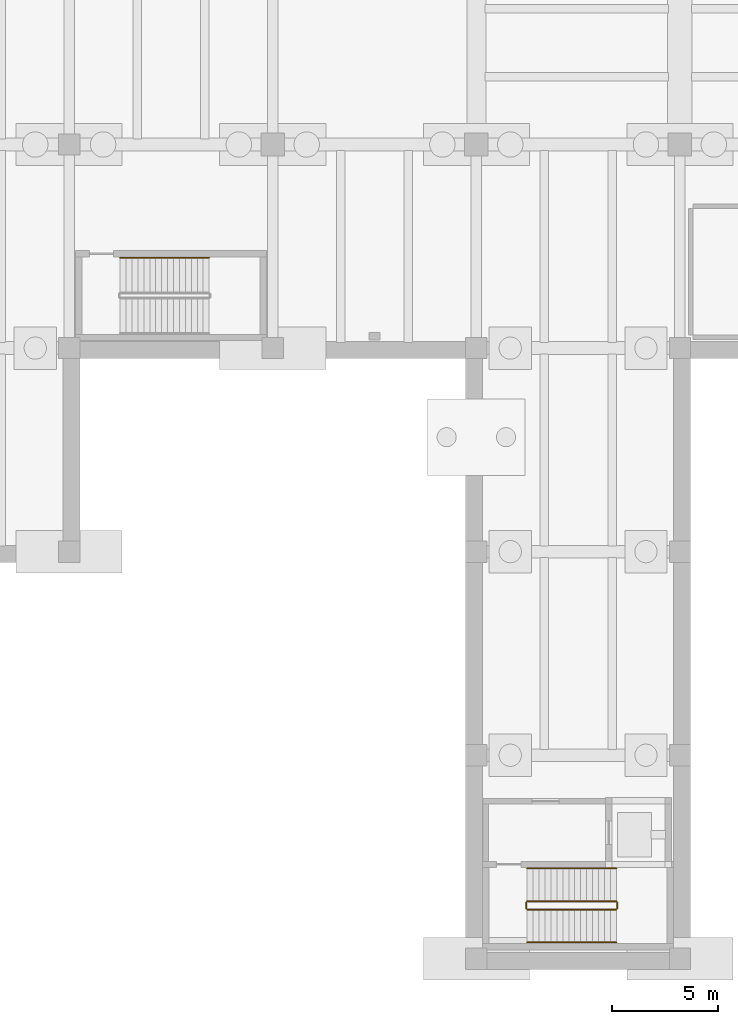
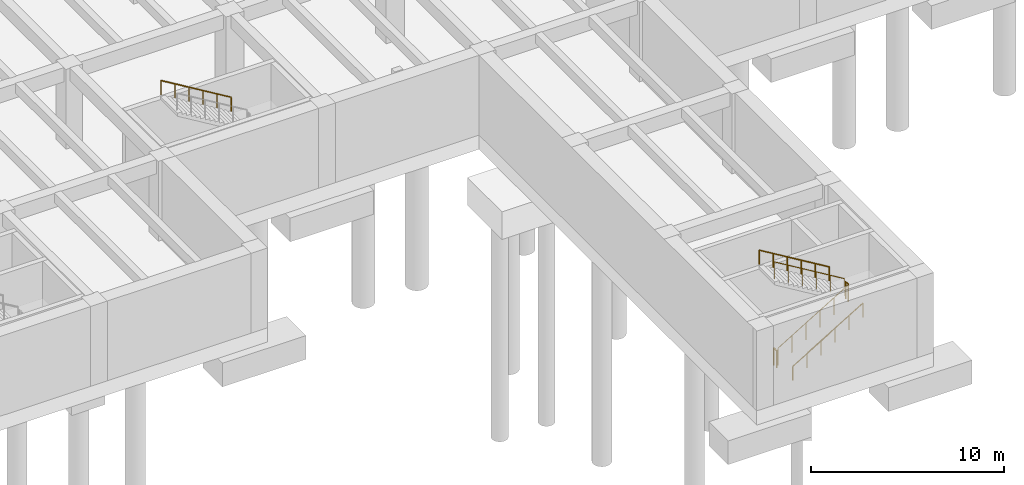
# One storey, part 17 of 24: 7 railings.
"""IFC4 building model written with IfcOpenShell, lengths in metres."""

from ifc_helpers import new_model, si_unit, direction, frame, origin, origin_2d, place, context, subcontext, project, spatial, circle, extrude, material, type_object, element, save


model = new_model("IFC4")

# Units and contexts
model_context = context("Model", 3, precision=1e-05, world=origin(), true_north=direction((0.0, 1.0)))
body_context = subcontext(model_context, "Body", "Model", "MODEL_VIEW")
ifc_project = project(units=[si_unit("LENGTHUNIT", "METRE"), si_unit("AREAUNIT", "SQUARE_METRE"), si_unit("VOLUMEUNIT", "CUBIC_METRE"), si_unit("PLANEANGLEUNIT", "RADIAN"), si_unit("MASSUNIT", "GRAM", prefix="KILO")], contexts=[model_context])

# Site, building, storey
site_placement = place(None, origin())
site = spatial("IfcSite", under=ifc_project, at=site_placement, CompositionType="ELEMENT")
building_placement = place(site_placement, origin())
building = spatial("IfcBuilding", under=site, at=building_placement, Name="Coralgate Yard Interchange", CompositionType="ELEMENT")
storey_placement = place(building_placement, frame((0.0, 0.0, -10.800048828125)))
storey = spatial("IfcBuildingStorey", under=building, at=storey_placement, Name="B2", CompositionType="ELEMENT", Elevation=-10.800048828125)

# Railings
ifc_material_1 = material(Name="Grade 316 marine stainless steel and toughened glass balustrade", Category="steel")
railing_type_1 = type_object("IfcRailingType", Name="RLG-GD1100", PredefinedType="BALUSTRADE", material=ifc_material_1)
railing_1_placement = place(storey_placement, frame((50.39990234375, 11.919921875, 0.168701171875)))
element("IfcRailing", 1, at=railing_1_placement, inside=storey, type_object=railing_type_1, Name="B2 ST-02 stair guard 1", PredefinedType="BALUSTRADE", context=body_context, shape_type="SweptSolid", body=[
    extrude(circle(Radius=0.02392578125, at=origin_2d()), frame((0.0, 0.0, 1.076171875), z_axis=(0.856489757249, 0.0, 0.516164020179), x_axis=(0.0, 1.0, 0.0)), (0.0, 0.0, 1.0), 4.904052734375),
    extrude(circle(Radius=0.02099609375, at=origin_2d()), origin(), (0.0, 0.0, 1.0), 1.051513671875),
    extrude(circle(Radius=0.02099609375, at=origin_2d()), frame((0.840087890625, 0.0, 0.50634765625)), (0.0, 0.0, 1.0), 1.051513671875),
    extrude(circle(Radius=0.02099609375, at=origin_2d()), frame((1.68017578125, 0.0, 1.012451171875)), (0.0, 0.0, 1.0), 1.051513671875),
    extrude(circle(Radius=0.02099609375, at=origin_2d()), frame((2.52001953125, 0.0, 1.518798828125)), (0.0, 0.0, 1.0), 1.051513671875),
    extrude(circle(Radius=0.02099609375, at=origin_2d()), frame((3.360107421875, 0.0, 2.02490234375)), (0.0, 0.0, 1.0), 1.051513671875),
    extrude(circle(Radius=0.02099609375, at=origin_2d()), frame((4.2001953125, 0.0, 2.53125)), (0.0, 0.0, 1.0), 1.051513671875),
])
railing_2_placement = place(storey_placement, frame((54.64990234375, 11.969970703125, 2.699951171875)))
element("IfcRailing", 2, at=railing_2_placement, inside=storey, type_object=railing_type_1, Name="B2 ST-02 stair guard 2", PredefinedType="BALUSTRADE", context=body_context, shape_type="SweptSolid", body=[
    extrude(circle(Radius=0.02392578125, at=origin_2d()), frame((0.0, 0.0, 1.076171875), z_axis=(0.0, 1.0, 0.0), x_axis=(-1.0, 0.0, 0.0)), (0.0, 0.0, 1.0), 0.2900390625),
    extrude(circle(Radius=0.02099609375, at=origin_2d()), origin(), (0.0, 0.0, 1.0), 1.051513671875),
    extrude(circle(Radius=0.02099609375, at=origin_2d()), frame((0.0, 0.2900390625, 0.0)), (0.0, 0.0, 1.0), 1.051513671875),
])
railing_3_placement = place(storey_placement, frame((54.60009765625, 12.31005859375, 2.868896484375)))
element("IfcRailing", 3, at=railing_3_placement, inside=storey, type_object=railing_type_1, Name="B2 ST-02 stair guard 3", PredefinedType="BALUSTRADE", context=body_context, shape_type="SweptSolid", body=[
    extrude(circle(Radius=0.02392578125, at=origin_2d()), frame((0.0, 0.0, 1.076171875), z_axis=(-0.856489757249, 0.0, 0.516164020179), x_axis=(0.0, -1.0, 0.0)), (0.0, 0.0, 1.0), 4.904052734375),
    extrude(circle(Radius=0.02099609375, at=origin_2d()), origin(), (0.0, 0.0, 1.0), 1.051513671875),
    extrude(circle(Radius=0.02099609375, at=origin_2d()), frame((-0.840087890625, 0.0, 0.50634765625)), (0.0, 0.0, 1.0), 1.051513671875),
    extrude(circle(Radius=0.02099609375, at=origin_2d()), frame((-1.68017578125, 0.0, 1.012451171875)), (0.0, 0.0, 1.0), 1.051513671875),
    extrude(circle(Radius=0.02099609375, at=origin_2d()), frame((-2.52001953125, 0.0, 1.518798828125)), (0.0, 0.0, 1.0), 1.051513671875),
    extrude(circle(Radius=0.02099609375, at=origin_2d()), frame((-3.360107421875, 0.0, 2.02490234375)), (0.0, 0.0, 1.0), 1.051513671875),
    extrude(circle(Radius=0.02099609375, at=origin_2d()), frame((-4.2001953125, 0.0, 2.53125)), (0.0, 0.0, 1.0), 1.051513671875),
])
railing_4_placement = place(storey_placement, frame((50.35009765625, 11.969970703125, 0.0)))
element("IfcRailing", 4, at=railing_4_placement, inside=storey, type_object=railing_type_1, Name="B2 ST-02 stair guard 4", PredefinedType="BALUSTRADE", context=body_context, shape_type="SweptSolid", body=[
    extrude(circle(Radius=0.02392578125, at=origin_2d()), frame((0.0, 0.0, 1.076171875), z_axis=(0.0, 1.0, 0.0), x_axis=(-1.0, 0.0, 0.0)), (0.0, 0.0, 1.0), 0.2900390625),
    extrude(circle(Radius=0.02099609375, at=origin_2d()), origin(), (0.0, 0.0, 1.0), 1.051513671875),
    extrude(circle(Radius=0.02099609375, at=origin_2d()), frame((0.0, 0.2900390625, 0.0)), (0.0, 0.0, 1.0), 1.051513671875),
])
ifc_material_2 = material(Name="Grade 316 marine stainless steel", Category="steel")
railing_type_2 = type_object("IfcRailingType", Name="RLG-HR900", PredefinedType="HANDRAIL", material=ifc_material_2)
railing_5_placement = place(storey_placement, frame((35.39990234375, 42.659912109375, 2.868896484375)))
element("IfcRailing", 5, at=railing_5_placement, inside=storey, type_object=railing_type_2, Name="B2 ST-12 stair handrail 2", PredefinedType="HANDRAIL", context=body_context, shape_type="SweptSolid", body=[
    extrude(circle(Radius=0.02392578125, at=origin_2d()), frame((0.0, 0.0, 0.8759765625), z_axis=(-0.856476492594, 0.0, 0.516186030065), x_axis=(0.0, -1.0, 0.0)), (0.0, 0.0, 1.0), 4.90380859375),
    extrude(circle(Radius=0.02099609375, at=origin_2d()), origin(), (0.0, 0.0, 1.0), 0.851318359375),
    extrude(circle(Radius=0.02099609375, at=origin_2d()), frame((-0.840087890625, 0.0, 0.50634765625)), (0.0, 0.0, 1.0), 0.851318359375),
    extrude(circle(Radius=0.02099609375, at=origin_2d()), frame((-1.679931640625, 0.0, 1.012451171875)), (0.0, 0.0, 1.0), 0.851318359375),
    extrude(circle(Radius=0.02099609375, at=origin_2d()), frame((-2.52001953125, 0.0, 1.518798828125)), (0.0, 0.0, 1.0), 0.851318359375),
    extrude(circle(Radius=0.02099609375, at=origin_2d()), frame((-3.35986328125, 0.0, 2.02490234375)), (0.0, 0.0, 1.0), 0.851318359375),
    extrude(circle(Radius=0.02099609375, at=origin_2d()), frame((-4.199951171875, 0.0, 2.53125)), (0.0, 0.0, 1.0), 0.851318359375),
])
railing_6_placement = place(storey_placement, frame((50.39990234375, 10.3701171875, 0.168701171875)))
element("IfcRailing", 6, at=railing_6_placement, inside=storey, type_object=railing_type_2, Name="B2 ST-02 stair handrail 1", PredefinedType="HANDRAIL", context=body_context, shape_type="SweptSolid", body=[
    extrude(circle(Radius=0.02392578125, at=origin_2d()), frame((0.0, 0.0, 0.8759765625), z_axis=(0.856489757249, 0.0, 0.516164020179), x_axis=(0.0, 1.0, 0.0)), (0.0, 0.0, 1.0), 4.904052734375),
    extrude(circle(Radius=0.02099609375, at=origin_2d()), origin(), (0.0, 0.0, 1.0), 0.851318359375),
    extrude(circle(Radius=0.02099609375, at=origin_2d()), frame((0.840087890625, 0.0, 0.50634765625)), (0.0, 0.0, 1.0), 0.851318359375),
    extrude(circle(Radius=0.02099609375, at=origin_2d()), frame((1.68017578125, 0.0, 1.012451171875)), (0.0, 0.0, 1.0), 0.851318359375),
    extrude(circle(Radius=0.02099609375, at=origin_2d()), frame((2.52001953125, 0.0, 1.518798828125)), (0.0, 0.0, 1.0), 0.851318359375),
    extrude(circle(Radius=0.02099609375, at=origin_2d()), frame((3.360107421875, 0.0, 2.02490234375)), (0.0, 0.0, 1.0), 0.851318359375),
    extrude(circle(Radius=0.02099609375, at=origin_2d()), frame((4.2001953125, 0.0, 2.53125)), (0.0, 0.0, 1.0), 0.851318359375),
])
railing_7_placement = place(storey_placement, frame((54.60009765625, 13.860107421875, 2.868896484375)))
element("IfcRailing", 7, at=railing_7_placement, inside=storey, type_object=railing_type_2, Name="B2 ST-02 stair handrail 2", PredefinedType="HANDRAIL", context=body_context, shape_type="SweptSolid", body=[
    extrude(circle(Radius=0.02392578125, at=origin_2d()), frame((0.0, 0.0, 0.8759765625), z_axis=(-0.856489757249, 0.0, 0.516164020179), x_axis=(0.0, -1.0, 0.0)), (0.0, 0.0, 1.0), 4.904052734375),
    extrude(circle(Radius=0.02099609375, at=origin_2d()), origin(), (0.0, 0.0, 1.0), 0.851318359375),
    extrude(circle(Radius=0.02099609375, at=origin_2d()), frame((-0.840087890625, 0.0, 0.50634765625)), (0.0, 0.0, 1.0), 0.851318359375),
    extrude(circle(Radius=0.02099609375, at=origin_2d()), frame((-1.68017578125, 0.0, 1.012451171875)), (0.0, 0.0, 1.0), 0.851318359375),
    extrude(circle(Radius=0.02099609375, at=origin_2d()), frame((-2.52001953125, 0.0, 1.518798828125)), (0.0, 0.0, 1.0), 0.851318359375),
    extrude(circle(Radius=0.02099609375, at=origin_2d()), frame((-3.360107421875, 0.0, 2.02490234375)), (0.0, 0.0, 1.0), 0.851318359375),
    extrude(circle(Radius=0.02099609375, at=origin_2d()), frame((-4.2001953125, 0.0, 2.53125)), (0.0, 0.0, 1.0), 0.851318359375),
])

save(model, "model.ifc")
